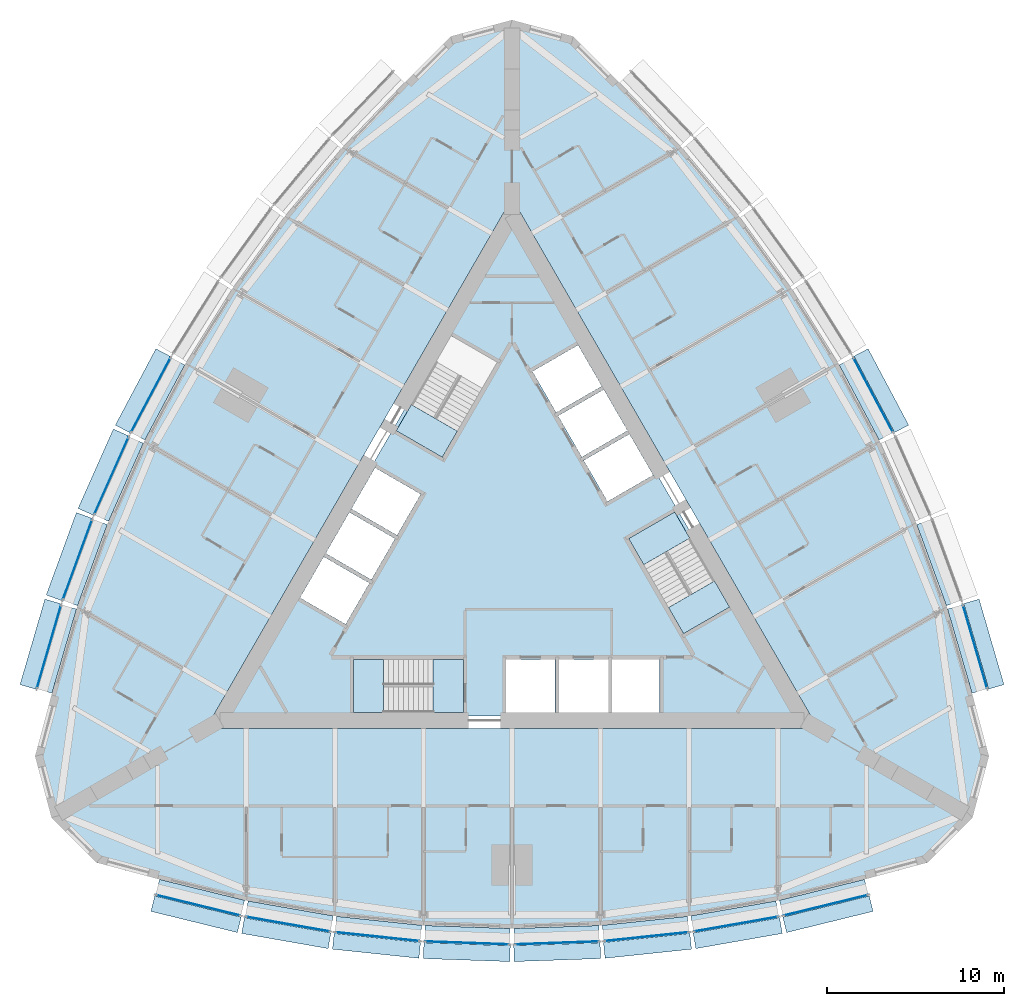
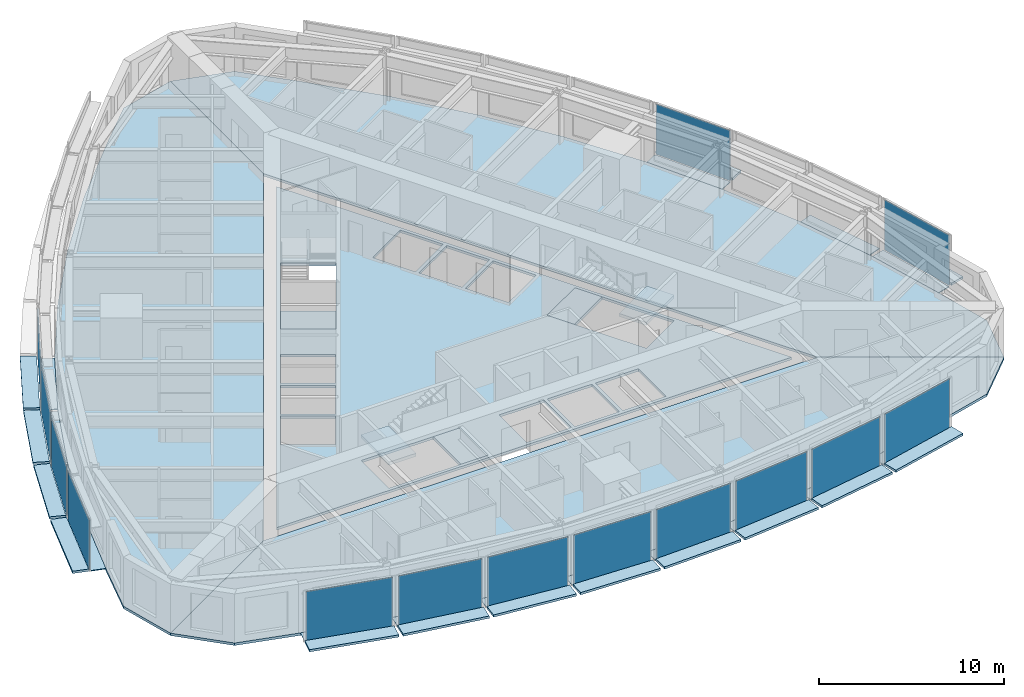
# One storey, part 6 of 14: 43 plates, 9 slabs, 17 elements without a shape of their own.
"""IFC4 building model written with IfcOpenShell, lengths in metres."""

from ifc_helpers import new_model, si_unit, direction, frame, origin, origin_2d, place, context, subcontext, project, spatial, polyline, rectangle, outline, extrude, material, layer, layer_set, type_object, element, aggregate, save


model = new_model("IFC4")

# Units and contexts
model_context = context("Model", 3, precision=1e-05, world=origin(), true_north=direction((0.0, 1.0)))
body_context = subcontext(model_context, "Body", "Model", "MODEL_VIEW")
ifc_project = project(units=[si_unit("LENGTHUNIT", "METRE"), si_unit("AREAUNIT", "SQUARE_METRE"), si_unit("VOLUMEUNIT", "CUBIC_METRE"), si_unit("PLANEANGLEUNIT", "RADIAN"), si_unit("MASSUNIT", "GRAM", prefix="KILO")], contexts=[model_context])

# Site, building, storey
site_placement = place(None, origin())
site = spatial("IfcSite", under=ifc_project, at=site_placement, CompositionType="ELEMENT")
building_placement = place(site_placement, origin())
building = spatial("IfcBuilding", under=site, at=building_placement, Name="Trikona Tower", CompositionType="ELEMENT")
storey_placement = place(building_placement, frame((0.0, 0.0, 152.10009765625)))
storey = spatial("IfcBuildingStorey", under=building, at=storey_placement, Name="L40", CompositionType="ELEMENT", Elevation=152.10009765625)

# Plates
ifc_material_1 = material(Name="Aluminium bar grating", Category="aluminium")
ifc_layer_1 = layer(ifc_material_1, 0.050048828125)
ifc_layer_set_1 = layer_set([ifc_layer_1], Name="Cavity catwalk grating")
plate_type_1 = type_object("IfcPlateType", Name="Cavity catwalk grating", PredefinedType="USERDEFINED", material=ifc_layer_set_1)
plate_1_placement = place(storey_placement, frame((-17.598876953125, -19.49072265625, -0.05029296875), z_axis=(0.0, 0.0, 1.0), x_axis=(0.971274411564, -0.237962218516, 0.0)))
element("IfcPlate", 1, at=plate_1_placement, inside=storey, type_object=plate_type_1, Name="Cavity catwalk L40-00", ObjectType="CATWALK GRATING", PredefinedType="USERDEFINED", context=body_context, shape_type="SweptSolid", body=[
    extrude(rectangle(XDim=4.947998046875, YDim=0.830078125, at=origin_2d()), origin(), (0.0, 0.0, 1.0), 0.050048828125),
])
plate_2_placement = place(storey_placement, frame((-12.571533203125, -20.54638671875, -0.05029296875), z_axis=(0.0, 0.0, 1.0), x_axis=(0.985030604067, -0.172379549401, 0.0)))
element("IfcPlate", 2, at=plate_2_placement, inside=storey, type_object=plate_type_1, Name="Cavity catwalk L40-01", ObjectType="CATWALK GRATING", PredefinedType="USERDEFINED", context=body_context, shape_type="SweptSolid", body=[
    extrude(rectangle(XDim=4.8759765625, YDim=0.830078125, at=origin_2d()), origin(), (0.0, 0.0, 1.0), 0.050048828125),
])
plate_3_placement = place(storey_placement, frame((-7.543212890625, -21.25048828125, -0.05029296875), z_axis=(0.0, 0.0, 1.0), x_axis=(0.994532653854, -0.104426052392, 0.0)))
element("IfcPlate", 3, at=plate_3_placement, inside=storey, type_object=plate_type_1, Name="Cavity catwalk L40-02", ObjectType="CATWALK GRATING", PredefinedType="USERDEFINED", context=body_context, shape_type="SweptSolid", body=[
    extrude(rectangle(XDim=4.827392578125, YDim=0.830078125, at=origin_2d()), origin(), (0.0, 0.0, 1.0), 0.050048828125),
])
for number, where, z_axis, x_axis, name in (
    (4, (-2.514404296875, -21.602294921875, -0.05029296875), (0.0, 0.0, 1.0), (0.999388082937, -0.034977988567, 0.0), "Cavity catwalk L40-03"),
    (5, (2.514404296875, -21.602294921875, -0.05029296875), (0.0, 0.0, 1.0), (0.999388082937, 0.034977988567, 0.0), "Cavity catwalk L40-04"),
):
    element("IfcPlate", number, at=place(storey_placement, frame(where, z_axis=z_axis, x_axis=x_axis)), inside=storey, type_object=plate_type_1, Name=name, ObjectType="CATWALK GRATING", PredefinedType="USERDEFINED", context=body_context, shape_type="SweptSolid", body=[
        extrude(rectangle(XDim=4.802978515625, YDim=0.830078125, at=origin_2d()), origin(), (0.0, 0.0, 1.0), 0.050048828125),
    ])
plate_4_placement = place(storey_placement, frame((7.543212890625, -21.25048828125, -0.05029296875), z_axis=(0.0, 0.0, 1.0), x_axis=(0.994532653854, 0.104426052392, 0.0)))
element("IfcPlate", 6, at=plate_4_placement, inside=storey, type_object=plate_type_1, Name="Cavity catwalk L40-05", ObjectType="CATWALK GRATING", PredefinedType="USERDEFINED", context=body_context, shape_type="SweptSolid", body=[
    extrude(rectangle(XDim=4.827392578125, YDim=0.830078125, at=origin_2d()), origin(), (0.0, 0.0, 1.0), 0.050048828125),
])
plate_5_placement = place(storey_placement, frame((12.571533203125, -20.54638671875, -0.05029296875), z_axis=(0.0, 0.0, 1.0), x_axis=(0.985030604067, 0.172379549401, 0.0)))
element("IfcPlate", 7, at=plate_5_placement, inside=storey, type_object=plate_type_1, Name="Cavity catwalk L40-06", ObjectType="CATWALK GRATING", PredefinedType="USERDEFINED", context=body_context, shape_type="SweptSolid", body=[
    extrude(rectangle(XDim=4.8759765625, YDim=0.830078125, at=origin_2d()), origin(), (0.0, 0.0, 1.0), 0.050048828125),
])
plate_6_placement = place(storey_placement, frame((17.598876953125, -19.49072265625, -0.05029296875), z_axis=(0.0, 0.0, 1.0), x_axis=(0.971274411564, 0.237962218516, 0.0)))
element("IfcPlate", 8, at=plate_6_placement, inside=storey, type_object=plate_type_1, Name="Cavity catwalk L40-07", ObjectType="CATWALK GRATING", PredefinedType="USERDEFINED", context=body_context, shape_type="SweptSolid", body=[
    extrude(rectangle(XDim=4.947998046875, YDim=0.830078125, at=origin_2d()), origin(), (0.0, 0.0, 1.0), 0.050048828125),
])
plate_7_placement = place(storey_placement, frame((25.678955078125, -5.49560546875, -0.05029296875), z_axis=(0.0, 0.0, 1.0), x_axis=(-0.279554203664, 0.960129911634, 0.0)))
element("IfcPlate", 9, at=plate_7_placement, inside=storey, type_object=plate_type_1, Name="Cavity catwalk L40-12", ObjectType="CATWALK GRATING", PredefinedType="USERDEFINED", context=body_context, shape_type="SweptSolid", body=[
    extrude(rectangle(XDim=4.94775390625, YDim=0.830078125, at=origin_2d()), origin(), (0.0, 0.0, 1.0), 0.050048828125),
])
plate_8_placement = place(storey_placement, frame((24.07958984375, -0.614013671875, -0.05029296875), z_axis=(0.0, 0.0, 1.0), x_axis=(-0.343220397324, 0.939254895575, 0.0)))
element("IfcPlate", 10, at=plate_8_placement, inside=storey, type_object=plate_type_1, Name="Cavity catwalk L40-13", ObjectType="CATWALK GRATING", PredefinedType="USERDEFINED", context=body_context, shape_type="SweptSolid", body=[
    extrude(rectangle(XDim=4.8759765625, YDim=0.830078125, at=origin_2d()), origin(), (0.0, 0.0, 1.0), 0.050048828125),
])
for number, where, z_axis, x_axis, name in (
    (11, (19.965576171875, 8.62353515625, -0.05029296875), (0.0, 0.0, 1.0), (-0.469397591494, 0.882986920118, 0.0), "Cavity catwalk L40-15"),
    (12, (-19.965576171875, 8.62353515625, -0.05029296875), (0.0, 0.0, 1.0), (-0.469397591494, -0.882986920118, 0.0), "Cavity catwalk L40-28"),
):
    element("IfcPlate", number, at=place(storey_placement, frame(where, z_axis=z_axis, x_axis=x_axis)), inside=storey, type_object=plate_type_1, Name=name, ObjectType="CATWALK GRATING", PredefinedType="USERDEFINED", context=body_context, shape_type="SweptSolid", body=[
        extrude(rectangle(XDim=4.802978515625, YDim=0.830078125, at=origin_2d()), origin(), (0.0, 0.0, 1.0), 0.050048828125),
    ])
plate_9_placement = place(storey_placement, frame((-22.175048828125, 4.092529296875, -0.05029296875), z_axis=(0.0, 0.0, 1.0), x_axis=(-0.406843467615, -0.913497888809, 0.0)))
element("IfcPlate", 13, at=plate_9_placement, inside=storey, type_object=plate_type_1, Name="Cavity catwalk L40-29", ObjectType="CATWALK GRATING", PredefinedType="USERDEFINED", context=body_context, shape_type="SweptSolid", body=[
    extrude(rectangle(XDim=4.827392578125, YDim=0.830078125, at=origin_2d()), origin(), (0.0, 0.0, 1.0), 0.050048828125),
])
plate_10_placement = place(storey_placement, frame((-24.07958984375, -0.614013671875, -0.05029296875), z_axis=(0.0, 0.0, 1.0), x_axis=(-0.343220397324, -0.939254895575, 0.0)))
element("IfcPlate", 14, at=plate_10_placement, inside=storey, type_object=plate_type_1, Name="Cavity catwalk L40-30", ObjectType="CATWALK GRATING", PredefinedType="USERDEFINED", context=body_context, shape_type="SweptSolid", body=[
    extrude(rectangle(XDim=4.8759765625, YDim=0.830078125, at=origin_2d()), origin(), (0.0, 0.0, 1.0), 0.050048828125),
])
plate_11_placement = place(storey_placement, frame((-25.678955078125, -5.49560546875, -0.05029296875), z_axis=(0.0, 0.0, 1.0), x_axis=(-0.279554203664, -0.960129911634, 0.0)))
element("IfcPlate", 15, at=plate_11_placement, inside=storey, type_object=plate_type_1, Name="Cavity catwalk L40-31", ObjectType="CATWALK GRATING", PredefinedType="USERDEFINED", context=body_context, shape_type="SweptSolid", body=[
    extrude(rectangle(XDim=4.94775390625, YDim=0.830078125, at=origin_2d()), origin(), (0.0, 0.0, 1.0), 0.050048828125),
])

# Slabs
ifc_material_2 = material(Name="Concrete f'c 5000 psi lightweight on composite steel deck", Category="concrete")
ifc_layer_2 = layer(ifc_material_2, 0.1650390625)
ifc_layer_set_2 = layer_set([ifc_layer_2], Name="Composite floor slab 165")
slab_type_1 = type_object("IfcSlabType", Name="Composite floor slab 165", PredefinedType="FLOOR", material=ifc_layer_set_2)
slab_1_placement = place(storey_placement, frame((0.0, 0.0, -0.1650390625)))
element("IfcSlab", 16, at=slab_1_placement, inside=storey, type_object=slab_type_1, Name="Floor slab L40 core", PredefinedType="FLOOR", context=body_context, shape_type="SweptSolid", body=[
    extrude(outline(polyline([(-16.06689453125, -9.2763671875), (16.06689453125, -9.2763671875), (0.0, 18.552490234375), (-16.06689453125, -9.2763671875)]), holes=[polyline([(12.285400390625, -3.126220703125), (9.185302734375, 2.2431640625), (6.587158203125, 0.7431640625), (9.687255859375, -4.626220703125), (12.285400390625, -3.126220703125)]), polyline([(8.340087890625, -9.06640625), (8.340087890625, -6.086181640625), (5.659912109375, -6.086181640625), (5.659912109375, -9.06640625), (8.340087890625, -9.06640625)]), polyline([(5.390869140625, 2.835205078125), (7.9716796875, 4.3251953125), (6.631591796875, 6.646240234375), (4.05078125, 5.15625), (5.390869140625, 2.835205078125)]), polyline([(2.600830078125, 7.667724609375), (3.94091796875, 5.3466796875), (6.521484375, 6.8369140625), (5.181640625, 9.15771484375), (2.600830078125, 7.667724609375)]), polyline([(5.43994140625, -6.086181640625), (2.659912109375, -6.086181640625), (2.659912109375, -9.06640625), (5.43994140625, -9.06640625), (5.43994140625, -6.086181640625)]), polyline([(3.731689453125, 11.669189453125), (1.15087890625, 10.17919921875), (2.490966796875, 7.858154296875), (5.071533203125, 9.34814453125), (3.731689453125, 11.669189453125)]), polyline([(-0.340087890625, -6.086181640625), (-0.340087890625, -9.06640625), (2.43994140625, -9.06640625), (2.43994140625, -6.086181640625), (-0.340087890625, -6.086181640625)]), polyline([(-3.435302734375, 12.202392578125), (-6.535400390625, 6.8330078125), (-3.937255859375, 5.3330078125), (-0.837158203125, 10.702392578125), (-3.435302734375, 12.202392578125)]), polyline([(-8.949951171875, -9.076416015625), (-2.75, -9.076416015625), (-2.75, -6.076416015625), (-8.949951171875, -6.076416015625), (-8.949951171875, -9.076416015625)]), polyline([(-5.15087890625, 3.2509765625), (-7.731689453125, 4.740966796875), (-9.071533203125, 2.419921875), (-6.490966796875, 0.929931640625), (-5.15087890625, 3.2509765625)]), polyline([(-7.94091796875, -1.581298828125), (-6.600830078125, 0.739501953125), (-9.181640625, 2.2294921875), (-10.521484375, -0.09130859375), (-7.94091796875, -1.581298828125)]), polyline([(-11.9716796875, -2.602783203125), (-9.390869140625, -4.093017578125), (-8.05078125, -1.77197265625), (-10.631591796875, -0.281982421875), (-11.9716796875, -2.602783203125)])]), origin(), (0.0, 0.0, 1.0), 0.1650390625),
])
slab_2_placement = place(storey_placement, frame((0.0, 0.0, -0.1650390625)))
element("IfcSlab", 17, at=slab_2_placement, inside=storey, type_object=slab_type_1, Name="Floor slab L40 south", PredefinedType="FLOOR", context=body_context, shape_type="SweptSolid", body=[
    extrude(outline(polyline([(23.464111328125, -17.547119140625), (26.0, -15.010986328125), (17.279296875, -9.976318359375), (-17.279296875, -9.976318359375), (-26.0, -15.010986328125), (-23.464111328125, -17.547119140625), (-20.0, -18.47509765625), (-15.0, -19.7001953125), (-10.0, -20.5751953125), (-5.0, -21.10009765625), (0.0, -21.275146484375), (5.0, -21.10009765625), (10.0, -20.5751953125), (15.0, -19.7001953125), (20.0, -18.47509765625), (23.464111328125, -17.547119140625)])), origin(), (0.0, 0.0, 1.0), 0.1650390625),
])
slab_3_placement = place(storey_placement, frame((0.0, 0.0, -0.1650390625)))
element("IfcSlab", 18, at=slab_3_placement, inside=storey, type_object=slab_type_1, Name="Floor slab L40 north-east", PredefinedType="FLOOR", context=body_context, shape_type="SweptSolid", body=[
    extrude(outline(polyline([(3.464111328125, 29.093994140625), (0.0, 30.022216796875), (0.0, 19.95263671875), (17.279296875, -9.976318359375), (26.0, -15.010986328125), (26.92822265625, -11.547119140625), (26.0, -8.0830078125), (24.560791015625, -3.140380859375), (22.818603515625, 1.62744140625), (20.773193359375, 6.219970703125), (18.4248046875, 10.6376953125), (15.773193359375, 14.880126953125), (12.818603515625, 18.947998046875), (9.560791015625, 22.840576171875), (6.0, 26.55810546875), (3.464111328125, 29.093994140625)])), origin(), (0.0, 0.0, 1.0), 0.1650390625),
])
slab_4_placement = place(storey_placement, frame((0.0, 0.0, -0.1650390625)))
element("IfcSlab", 19, at=slab_4_placement, inside=storey, type_object=slab_type_1, Name="Floor slab L40 north-west", PredefinedType="FLOOR", context=body_context, shape_type="SweptSolid", body=[
    extrude(outline(polyline([(0.0, 19.95263671875), (0.0, 30.022216796875), (-3.464111328125, 29.093994140625), (-6.0, 26.55810546875), (-9.560791015625, 22.840576171875), (-12.818603515625, 18.947998046875), (-15.773193359375, 14.880126953125), (-18.4248046875, 10.6376953125), (-20.773193359375, 6.219970703125), (-22.818603515625, 1.62744140625), (-24.560791015625, -3.140380859375), (-26.0, -8.0830078125), (-26.92822265625, -11.547119140625), (-26.0, -15.010986328125), (-17.279296875, -9.976318359375), (0.0, 19.95263671875)])), origin(), (0.0, 0.0, 1.0), 0.1650390625),
])

# Curtain wall, plate
ifc_material_3 = material(Name="Aluminium curtain wall system", Category="aluminium")
curtain_wall_type = type_object("IfcCurtainWallType", Name="Curtain wall DS2", PredefinedType="NOTDEFINED", material=ifc_material_3)
curtain_wall_1_placement = place(storey_placement, origin())
curtain_wall_1 = element("IfcCurtainWall", 20, at=curtain_wall_1_placement, inside=storey, type_object=curtain_wall_type, Name="Curtain wall DS2 L40", PredefinedType="NOTDEFINED")
ifc_material_4 = material(Name="Laminated clear glass", Category="glass")
ifc_layer_3 = layer(ifc_material_4, 0.028076171875)
ifc_layer_set_3 = layer_set([ifc_layer_3], Name="Glass panel DS2")
plate_type_2 = type_object("IfcPlateType", Name="Glass panel DS2", PredefinedType="CURTAIN_PANEL", material=ifc_layer_set_3)
plate_12_placement = place(storey_placement, frame((-17.714111328125, -19.9619140625, 0.0), z_axis=(0.0, 0.0, 1.0), x_axis=(0.971272455026, -0.237970204243, 0.0)))
plate_12 = element("IfcPlate", 21, at=plate_12_placement, type_object=plate_type_2, Name="CW-DS2 panel 1.1", PredefinedType="CURTAIN_PANEL", context=body_context, shape_type="SweptSolid", body=[
    extrude(rectangle(XDim=4.867919921875, YDim=0.028076171875, at=origin_2d()), origin(), (0.0, 0.0, 1.0), 3.320068359375),
])
aggregate(curtain_wall_1, [plate_12])

curtain_wall_2_placement = place(storey_placement, origin())
curtain_wall_2 = element("IfcCurtainWall", 22, at=curtain_wall_2_placement, inside=storey, type_object=curtain_wall_type, Name="Curtain wall DS2 L40", PredefinedType="NOTDEFINED")
plate_13_placement = place(storey_placement, frame((-12.655029296875, -21.024169921875, 0.0), z_axis=(0.0, 0.0, 1.0), x_axis=(0.985030981074, -0.17237739505, 0.0)))
plate_13 = element("IfcPlate", 23, at=plate_13_placement, type_object=plate_type_2, Name="CW-DS2 panel 1.1", PredefinedType="CURTAIN_PANEL", context=body_context, shape_type="SweptSolid", body=[
    extrude(rectangle(XDim=4.7958984375, YDim=0.028076171875, at=origin_2d()), origin(), (0.0, 0.0, 1.0), 3.320068359375),
])
aggregate(curtain_wall_2, [plate_13])

curtain_wall_3_placement = place(storey_placement, origin())
curtain_wall_3 = element("IfcCurtainWall", 24, at=curtain_wall_3_placement, inside=storey, type_object=curtain_wall_type, Name="Curtain wall DS2 L40", PredefinedType="NOTDEFINED")
plate_14_placement = place(storey_placement, frame((-7.593994140625, -21.732666015625, 0.0), z_axis=(0.0, 0.0, 1.0), x_axis=(0.994531883654, -0.104433387357, 0.0)))
plate_14 = element("IfcPlate", 25, at=plate_14_placement, type_object=plate_type_2, Name="CW-DS2 panel 1.1", PredefinedType="CURTAIN_PANEL", context=body_context, shape_type="SweptSolid", body=[
    extrude(rectangle(XDim=4.747314453125, YDim=0.028076171875, at=origin_2d()), origin(), (0.0, 0.0, 1.0), 3.320068359375),
])
aggregate(curtain_wall_3, [plate_14])

curtain_wall_4_placement = place(storey_placement, origin())
curtain_wall_4 = element("IfcCurtainWall", 26, at=curtain_wall_4_placement, inside=storey, type_object=curtain_wall_type, Name="Curtain wall DS2 L40", PredefinedType="NOTDEFINED")
plate_15_placement = place(storey_placement, frame((-2.531494140625, -22.087158203125, 0.0), z_axis=(0.0, 0.0, 1.0), x_axis=(0.99938737114, -0.034998320052, 0.0)))
plate_15 = element("IfcPlate", 27, at=plate_15_placement, type_object=plate_type_2, Name="CW-DS2 panel 1.1", PredefinedType="CURTAIN_PANEL", context=body_context, shape_type="SweptSolid", body=[
    extrude(rectangle(XDim=4.72314453125, YDim=0.028076171875, at=origin_2d()), origin(), (0.0, 0.0, 1.0), 3.320068359375),
])
aggregate(curtain_wall_4, [plate_15])

curtain_wall_5_placement = place(storey_placement, origin())
curtain_wall_5 = element("IfcCurtainWall", 28, at=curtain_wall_5_placement, inside=storey, type_object=curtain_wall_type, Name="Curtain wall DS2 L40", PredefinedType="NOTDEFINED")
plate_16_placement = place(storey_placement, frame((2.531494140625, -22.087158203125, 0.0), z_axis=(0.0, 0.0, 1.0), x_axis=(0.99938737114, 0.034998320052, 0.0)))
plate_16 = element("IfcPlate", 29, at=plate_16_placement, type_object=plate_type_2, Name="CW-DS2 panel 1.1", PredefinedType="CURTAIN_PANEL", context=body_context, shape_type="SweptSolid", body=[
    extrude(rectangle(XDim=4.72314453125, YDim=0.028076171875, at=origin_2d()), origin(), (0.0, 0.0, 1.0), 3.320068359375),
])
aggregate(curtain_wall_5, [plate_16])

curtain_wall_6_placement = place(storey_placement, origin())
curtain_wall_6 = element("IfcCurtainWall", 30, at=curtain_wall_6_placement, inside=storey, type_object=curtain_wall_type, Name="Curtain wall DS2 L40", PredefinedType="NOTDEFINED")
plate_17_placement = place(storey_placement, frame((7.593994140625, -21.732666015625, 0.0), z_axis=(0.0, 0.0, 1.0), x_axis=(0.994531883654, 0.104433387357, 0.0)))
plate_17 = element("IfcPlate", 31, at=plate_17_placement, type_object=plate_type_2, Name="CW-DS2 panel 1.1", PredefinedType="CURTAIN_PANEL", context=body_context, shape_type="SweptSolid", body=[
    extrude(rectangle(XDim=4.747314453125, YDim=0.028076171875, at=origin_2d()), origin(), (0.0, 0.0, 1.0), 3.320068359375),
])
aggregate(curtain_wall_6, [plate_17])

curtain_wall_7_placement = place(storey_placement, origin())
curtain_wall_7 = element("IfcCurtainWall", 32, at=curtain_wall_7_placement, inside=storey, type_object=curtain_wall_type, Name="Curtain wall DS2 L40", PredefinedType="NOTDEFINED")
plate_18_placement = place(storey_placement, frame((12.655029296875, -21.024169921875, 0.0), z_axis=(0.0, 0.0, 1.0), x_axis=(0.985030981074, 0.17237739505, 0.0)))
plate_18 = element("IfcPlate", 33, at=plate_18_placement, type_object=plate_type_2, Name="CW-DS2 panel 1.1", PredefinedType="CURTAIN_PANEL", context=body_context, shape_type="SweptSolid", body=[
    extrude(rectangle(XDim=4.7958984375, YDim=0.028076171875, at=origin_2d()), origin(), (0.0, 0.0, 1.0), 3.320068359375),
])
aggregate(curtain_wall_7, [plate_18])

curtain_wall_8_placement = place(storey_placement, origin())
curtain_wall_8 = element("IfcCurtainWall", 34, at=curtain_wall_8_placement, inside=storey, type_object=curtain_wall_type, Name="Curtain wall DS2 L40", PredefinedType="NOTDEFINED")
plate_19_placement = place(storey_placement, frame((17.714111328125, -19.9619140625, 0.0), z_axis=(0.0, 0.0, 1.0), x_axis=(0.971272455026, 0.237970204243, 0.0)))
plate_19 = element("IfcPlate", 35, at=plate_19_placement, type_object=plate_type_2, Name="CW-DS2 panel 1.1", PredefinedType="CURTAIN_PANEL", context=body_context, shape_type="SweptSolid", body=[
    extrude(rectangle(XDim=4.867919921875, YDim=0.028076171875, at=origin_2d()), origin(), (0.0, 0.0, 1.0), 3.320068359375),
])
aggregate(curtain_wall_8, [plate_19])

curtain_wall_9_placement = place(storey_placement, origin())
curtain_wall_9 = element("IfcCurtainWall", 36, at=curtain_wall_9_placement, inside=storey, type_object=curtain_wall_type, Name="Curtain wall DS2 L40", PredefinedType="NOTDEFINED")
plate_20_placement = place(storey_placement, frame((26.14453125, -5.360107421875, 0.0), z_axis=(0.0, 0.0, 1.0), x_axis=(-0.279543247757, 0.96013310152, 0.0)))
plate_20 = element("IfcPlate", 37, at=plate_20_placement, type_object=plate_type_2, Name="CW-DS2 panel 1.1", PredefinedType="CURTAIN_PANEL", context=body_context, shape_type="SweptSolid", body=[
    extrude(rectangle(XDim=4.867919921875, YDim=0.028076171875, at=origin_2d()), origin(), (0.0, 0.0, 1.0), 3.320068359375),
])
aggregate(curtain_wall_9, [plate_20])

curtain_wall_10_placement = place(storey_placement, origin())
curtain_wall_10 = element("IfcCurtainWall", 38, at=curtain_wall_10_placement, inside=storey, type_object=curtain_wall_type, Name="Curtain wall DS2 L40", PredefinedType="NOTDEFINED")
plate_21_placement = place(storey_placement, frame((20.393798828125, 8.851318359375, 0.0), z_axis=(0.0, 0.0, 1.0), x_axis=(-0.469380308937, 0.882996107343, 0.0)))
plate_21 = element("IfcPlate", 39, at=plate_21_placement, type_object=plate_type_2, Name="CW-DS2 panel 1.1", PredefinedType="CURTAIN_PANEL", context=body_context, shape_type="SweptSolid", body=[
    extrude(rectangle(XDim=4.72314453125, YDim=0.028076171875, at=origin_2d()), origin(), (0.0, 0.0, 1.0), 3.320068359375),
])
aggregate(curtain_wall_10, [plate_21])

curtain_wall_11_placement = place(storey_placement, origin())
curtain_wall_11 = element("IfcCurtainWall", 40, at=curtain_wall_11_placement, inside=storey, type_object=curtain_wall_type, Name="Curtain wall DS2 L40", PredefinedType="NOTDEFINED")
plate_22_placement = place(storey_placement, frame((-20.393798828125, 8.851318359375, 0.0), z_axis=(0.0, 0.0, 1.0), x_axis=(-0.469380308937, -0.882996107343, 0.0)))
plate_22 = element("IfcPlate", 41, at=plate_22_placement, type_object=plate_type_2, Name="CW-DS2 panel 1.1", PredefinedType="CURTAIN_PANEL", context=body_context, shape_type="SweptSolid", body=[
    extrude(rectangle(XDim=4.72314453125, YDim=0.028076171875, at=origin_2d()), origin(), (0.0, 0.0, 1.0), 3.320068359375),
])
aggregate(curtain_wall_11, [plate_22])

curtain_wall_12_placement = place(storey_placement, origin())
curtain_wall_12 = element("IfcCurtainWall", 42, at=curtain_wall_12_placement, inside=storey, type_object=curtain_wall_type, Name="Curtain wall DS2 L40", PredefinedType="NOTDEFINED")
plate_23_placement = place(storey_placement, frame((-22.6181640625, 4.289794921875, 0.0), z_axis=(0.0, 0.0, 1.0), x_axis=(-0.406836013132, -0.913501208767, 0.0)))
plate_23 = element("IfcPlate", 43, at=plate_23_placement, type_object=plate_type_2, Name="CW-DS2 panel 1.1", PredefinedType="CURTAIN_PANEL", context=body_context, shape_type="SweptSolid", body=[
    extrude(rectangle(XDim=4.747314453125, YDim=0.028076171875, at=origin_2d()), origin(), (0.0, 0.0, 1.0), 3.320068359375),
])
aggregate(curtain_wall_12, [plate_23])

curtain_wall_13_placement = place(storey_placement, origin())
curtain_wall_13 = element("IfcCurtainWall", 44, at=curtain_wall_13_placement, inside=storey, type_object=curtain_wall_type, Name="Curtain wall DS2 L40", PredefinedType="NOTDEFINED")
plate_24_placement = place(storey_placement, frame((-24.53515625, -0.447509765625, 0.0), z_axis=(0.0, 0.0, 1.0), x_axis=(-0.343223420143, -0.939253790978, 0.0)))
plate_24 = element("IfcPlate", 45, at=plate_24_placement, type_object=plate_type_2, Name="CW-DS2 panel 1.1", PredefinedType="CURTAIN_PANEL", context=body_context, shape_type="SweptSolid", body=[
    extrude(rectangle(XDim=4.7958984375, YDim=0.028076171875, at=origin_2d()), origin(), (0.0, 0.0, 1.0), 3.320068359375),
])
aggregate(curtain_wall_13, [plate_24])

curtain_wall_14_placement = place(storey_placement, origin())
curtain_wall_14 = element("IfcCurtainWall", 46, at=curtain_wall_14_placement, inside=storey, type_object=curtain_wall_type, Name="Curtain wall DS2 L40", PredefinedType="NOTDEFINED")
plate_25_placement = place(storey_placement, frame((-26.14453125, -5.360107421875, 0.0), z_axis=(0.0, 0.0, 1.0), x_axis=(-0.279543247757, -0.96013310152, 0.0)))
plate_25 = element("IfcPlate", 47, at=plate_25_placement, type_object=plate_type_2, Name="CW-DS2 panel 1.1", PredefinedType="CURTAIN_PANEL", context=body_context, shape_type="SweptSolid", body=[
    extrude(rectangle(XDim=4.867919921875, YDim=0.028076171875, at=origin_2d()), origin(), (0.0, 0.0, 1.0), 3.320068359375),
])
aggregate(curtain_wall_14, [plate_25])

# Plates
ifc_material_5 = material(Name="Aluminium plate fin, pale anodised, on stainless steel outriggers", Category="steel")
ifc_layer_4 = layer(ifc_material_5, 0.14990234375)
ifc_layer_set_4 = layer_set([ifc_layer_4], Name="Outer skin fin 900")
plate_type_3 = type_object("IfcPlateType", Name="Outer skin fin 900", PredefinedType="USERDEFINED", material=ifc_layer_set_4)
plate_26_placement = place(storey_placement, frame((-17.837890625, -20.466796875, 0.0), z_axis=(0.0, 0.0, 1.0), x_axis=(0.971274411564, -0.237962218516, 0.0)))
element("IfcPlate", 48, at=plate_26_placement, inside=storey, type_object=plate_type_3, Name="Outer skin fin L40-00", ObjectType="FIN", PredefinedType="USERDEFINED", context=body_context, shape_type="SweptSolid", body=[
    extrude(rectangle(XDim=5.02783203125, YDim=0.89990234375, at=origin_2d()), origin(), (0.0, 0.0, 1.0), 0.14990234375),
])
plate_27_placement = place(storey_placement, frame((-12.744873046875, -21.536376953125, 0.0), z_axis=(0.0, 0.0, 1.0), x_axis=(0.985030604067, -0.172379549401, 0.0)))
element("IfcPlate", 49, at=plate_27_placement, inside=storey, type_object=plate_type_3, Name="Outer skin fin L40-01", ObjectType="FIN", PredefinedType="USERDEFINED", context=body_context, shape_type="SweptSolid", body=[
    extrude(rectangle(XDim=4.9560546875, YDim=0.89990234375, at=origin_2d()), origin(), (0.0, 0.0, 1.0), 0.14990234375),
])
plate_28_placement = place(storey_placement, frame((-7.648193359375, -22.25, 0.0), z_axis=(0.0, 0.0, 1.0), x_axis=(0.994532653854, -0.104426052392, 0.0)))
element("IfcPlate", 50, at=plate_28_placement, inside=storey, type_object=plate_type_3, Name="Outer skin fin L40-02", ObjectType="FIN", PredefinedType="USERDEFINED", context=body_context, shape_type="SweptSolid", body=[
    extrude(rectangle(XDim=4.907470703125, YDim=0.89990234375, at=origin_2d()), origin(), (0.0, 0.0, 1.0), 0.14990234375),
])
for number, where, z_axis, x_axis, name in (
    (51, (-2.5498046875, -22.606689453125, 0.0), (0.0, 0.0, 1.0), (0.999388082937, -0.034977988567, 0.0), "Outer skin fin L40-03"),
    (52, (2.5498046875, -22.606689453125, 0.0), (0.0, 0.0, 1.0), (0.999388082937, 0.034977988567, 0.0), "Outer skin fin L40-04"),
):
    element("IfcPlate", number, at=place(storey_placement, frame(where, z_axis=z_axis, x_axis=x_axis)), inside=storey, type_object=plate_type_3, Name=name, ObjectType="FIN", PredefinedType="USERDEFINED", context=body_context, shape_type="SweptSolid", body=[
        extrude(rectangle(XDim=4.883056640625, YDim=0.89990234375, at=origin_2d()), origin(), (0.0, 0.0, 1.0), 0.14990234375),
    ])
plate_29_placement = place(storey_placement, frame((7.648193359375, -22.25, 0.0), z_axis=(0.0, 0.0, 1.0), x_axis=(0.994532653854, 0.104426052392, 0.0)))
element("IfcPlate", 53, at=plate_29_placement, inside=storey, type_object=plate_type_3, Name="Outer skin fin L40-05", ObjectType="FIN", PredefinedType="USERDEFINED", context=body_context, shape_type="SweptSolid", body=[
    extrude(rectangle(XDim=4.907470703125, YDim=0.89990234375, at=origin_2d()), origin(), (0.0, 0.0, 1.0), 0.14990234375),
])
plate_30_placement = place(storey_placement, frame((12.744873046875, -21.536376953125, 0.0), z_axis=(0.0, 0.0, 1.0), x_axis=(0.985030604067, 0.172379549401, 0.0)))
element("IfcPlate", 54, at=plate_30_placement, inside=storey, type_object=plate_type_3, Name="Outer skin fin L40-06", ObjectType="FIN", PredefinedType="USERDEFINED", context=body_context, shape_type="SweptSolid", body=[
    extrude(rectangle(XDim=4.9560546875, YDim=0.89990234375, at=origin_2d()), origin(), (0.0, 0.0, 1.0), 0.14990234375),
])
for number, where, z_axis, x_axis, name in (
    (55, (17.837890625, -20.466796875, 0.0), (0.0, 0.0, 1.0), (0.971274411564, 0.237962218516, 0.0), "Outer skin fin L40-07"),
    (56, (26.643798828125, -5.214599609375, 0.0), (0.0, 0.0, 1.0), (-0.279554203664, 0.960129911634, 0.0), "Outer skin fin L40-12"),
):
    element("IfcPlate", number, at=place(storey_placement, frame(where, z_axis=z_axis, x_axis=x_axis)), inside=storey, type_object=plate_type_3, Name=name, ObjectType="FIN", PredefinedType="USERDEFINED", context=body_context, shape_type="SweptSolid", body=[
        extrude(rectangle(XDim=5.02783203125, YDim=0.89990234375, at=origin_2d()), origin(), (0.0, 0.0, 1.0), 0.14990234375),
    ])
for number, where, z_axis, x_axis, name in (
    (57, (20.852783203125, 9.09521484375, 0.0), (0.0, 0.0, 1.0), (-0.469397591494, 0.882986920118, 0.0), "Outer skin fin L40-15"),
    (58, (-20.852783203125, 9.09521484375, 0.0), (0.0, 0.0, 1.0), (-0.469397591494, -0.882986920118, 0.0), "Outer skin fin L40-28"),
):
    element("IfcPlate", number, at=place(storey_placement, frame(where, z_axis=z_axis, x_axis=x_axis)), inside=storey, type_object=plate_type_3, Name=name, ObjectType="FIN", PredefinedType="USERDEFINED", context=body_context, shape_type="SweptSolid", body=[
        extrude(rectangle(XDim=4.883056640625, YDim=0.89990234375, at=origin_2d()), origin(), (0.0, 0.0, 1.0), 0.14990234375),
    ])
plate_31_placement = place(storey_placement, frame((-23.09326171875, 4.50146484375, 0.0), z_axis=(0.0, 0.0, 1.0), x_axis=(-0.406843467615, -0.913497888809, 0.0)))
element("IfcPlate", 59, at=plate_31_placement, inside=storey, type_object=plate_type_3, Name="Outer skin fin L40-29", ObjectType="FIN", PredefinedType="USERDEFINED", context=body_context, shape_type="SweptSolid", body=[
    extrude(rectangle(XDim=4.907470703125, YDim=0.89990234375, at=origin_2d()), origin(), (0.0, 0.0, 1.0), 0.14990234375),
])
plate_32_placement = place(storey_placement, frame((-25.0234375, -0.26904296875, 0.0), z_axis=(0.0, 0.0, 1.0), x_axis=(-0.343220397324, -0.939254895575, 0.0)))
element("IfcPlate", 60, at=plate_32_placement, inside=storey, type_object=plate_type_3, Name="Outer skin fin L40-30", ObjectType="FIN", PredefinedType="USERDEFINED", context=body_context, shape_type="SweptSolid", body=[
    extrude(rectangle(XDim=4.9560546875, YDim=0.89990234375, at=origin_2d()), origin(), (0.0, 0.0, 1.0), 0.14990234375),
])
plate_33_placement = place(storey_placement, frame((-26.643798828125, -5.214599609375, 0.0), z_axis=(0.0, 0.0, 1.0), x_axis=(-0.279554203664, -0.960129911634, 0.0)))
element("IfcPlate", 61, at=plate_33_placement, inside=storey, type_object=plate_type_3, Name="Outer skin fin L40-31", ObjectType="FIN", PredefinedType="USERDEFINED", context=body_context, shape_type="SweptSolid", body=[
    extrude(rectangle(XDim=5.02783203125, YDim=0.89990234375, at=origin_2d()), origin(), (0.0, 0.0, 1.0), 0.14990234375),
])

# Stair, slabs
ifc_material_6 = material(Name="Concrete f'c 5000 psi", Category="concrete")
stair_type = type_object("IfcStairType", Name="Core stair", PredefinedType="HALF_TURN_STAIR", material=ifc_material_6)
stair_1_placement = place(storey_placement, origin())
stair_1 = element("IfcStair", 62, at=stair_1_placement, inside=storey, type_object=stair_type, Name="Stair A L40", PredefinedType="HALF_TURN_STAIR")
ifc_material_7 = material(Name="Concrete f'c 5000 psi", Category="concrete")
ifc_layer_5 = layer(ifc_material_7, 0.199951171875)
ifc_layer_set_5 = layer_set([ifc_layer_5], Name="Stair landing 200")
slab_type_2 = type_object("IfcSlabType", Name="Stair landing 200", PredefinedType="LANDING", material=ifc_layer_set_5)
slab_5_placement = place(storey_placement, frame((0.0, 0.0, -0.2001953125)))
slab_5 = element("IfcSlab", 63, at=slab_5_placement, type_object=slab_type_2, Name="ST-A landing 1", PredefinedType="LANDING", context=body_context, shape_type="SweptSolid", body=[
    extrude(outline(polyline([(-4.452880859375, -6.076416015625), (-2.75, -6.076416015625), (-2.75, -9.076416015625), (-4.452880859375, -9.076416015625), (-4.452880859375, -6.076416015625)])), origin(), (0.0, 0.0, 1.0), 0.2001953125),
])
slab_6_placement = place(storey_placement, frame((0.0, 0.0, 1.5)))
slab_6 = element("IfcSlab", 64, at=slab_6_placement, type_object=slab_type_2, Name="ST-A landing 2", PredefinedType="LANDING", context=body_context, shape_type="SweptSolid", body=[
    extrude(outline(polyline([(-8.949951171875, -6.076416015625), (-7.2470703125, -6.076416015625), (-7.2470703125, -9.076416015625), (-8.949951171875, -9.076416015625), (-8.949951171875, -6.076416015625)])), origin(), (0.0, 0.0, 1.0), 0.199951171875),
])
aggregate(stair_1, [slab_5, slab_6])

stair_2_placement = place(storey_placement, origin())
stair_2 = element("IfcStair", 65, at=stair_2_placement, inside=storey, type_object=stair_type, Name="Stair B L40", PredefinedType="HALF_TURN_STAIR")
slab_7_placement = place(storey_placement, frame((0.0, 0.0, -0.2001953125)))
slab_7 = element("IfcSlab", 66, at=slab_7_placement, type_object=slab_type_2, Name="ST-B landing 1", PredefinedType="LANDING", context=body_context, shape_type="SweptSolid", body=[
    extrude(outline(polyline([(7.438720703125, -0.731689453125), (6.587158203125, 0.7431640625), (9.185302734375, 2.2431640625), (10.036865234375, 0.768310546875), (7.438720703125, -0.731689453125)])), origin(), (0.0, 0.0, 1.0), 0.2001953125),
])
slab_8_placement = place(storey_placement, frame((0.0, 0.0, 1.5)))
slab_8 = element("IfcSlab", 67, at=slab_8_placement, type_object=slab_type_2, Name="ST-B landing 2", PredefinedType="LANDING", context=body_context, shape_type="SweptSolid", body=[
    extrude(outline(polyline([(9.687255859375, -4.626220703125), (8.835693359375, -3.1513671875), (11.433837890625, -1.6513671875), (12.285400390625, -3.126220703125), (9.687255859375, -4.626220703125)])), origin(), (0.0, 0.0, 1.0), 0.199951171875),
])
aggregate(stair_2, [slab_7, slab_8])

# Stair, slab
stair_3_placement = place(storey_placement, origin())
stair_3 = element("IfcStair", 68, at=stair_3_placement, inside=storey, type_object=stair_type, Name="Stair C L40", PredefinedType="HALF_TURN_STAIR")
slab_9_placement = place(storey_placement, frame((0.0, 0.0, -0.2001953125)))
slab_9 = element("IfcSlab", 69, at=slab_9_placement, type_object=slab_type_2, Name="ST-C landing 1", PredefinedType="LANDING", context=body_context, shape_type="SweptSolid", body=[
    extrude(outline(polyline([(-3.085693359375, 6.807861328125), (-3.937255859375, 5.3330078125), (-6.535400390625, 6.8330078125), (-5.683837890625, 8.307861328125), (-3.085693359375, 6.807861328125)])), origin(), (0.0, 0.0, 1.0), 0.2001953125),
])
aggregate(stair_3, [slab_9])

save(model, "model.ifc")
